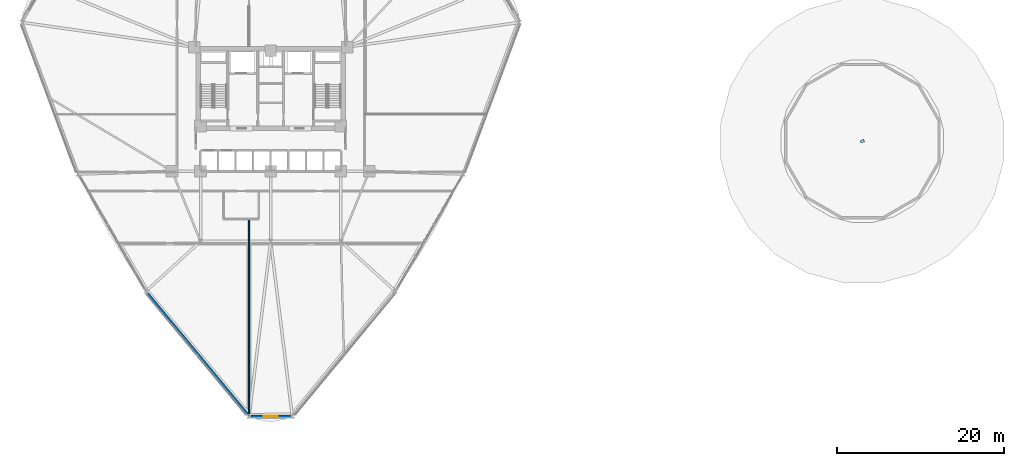
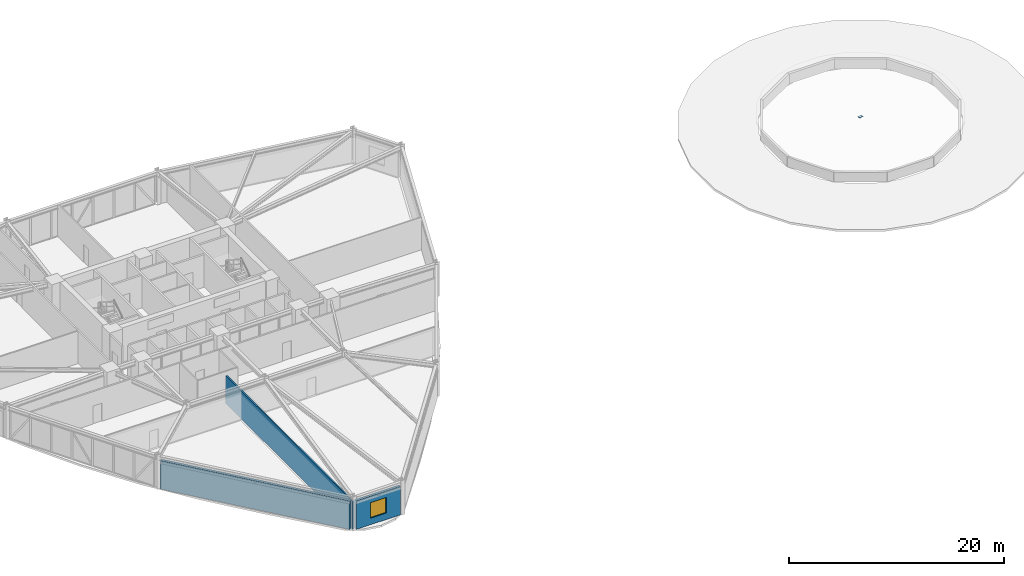
# One storey, part 15 of 23: 3 walls, 1 plate, 1 window, 1 opening.
"""IFC4 building model written with IfcOpenShell, lengths in metres."""

from ifc_helpers import new_model, si_unit, derived_unit, direction, frame, frame_2d, origin, origin_2d, place, context, subcontext, project, spatial, rectangle, extrude, source, transform, mapped, material, layer, layer_set, type_object, element, fill, save


model = new_model("IFC4")

# Units and contexts
model_context = context("Model", 3, precision=1e-05, world=origin(), true_north=direction((0.0, 1.0)))
body_context = subcontext(model_context, "Body", "Model", "MODEL_VIEW")
ifc_project = project(units=[si_unit("LENGTHUNIT", "METRE"), si_unit("AREAUNIT", "SQUARE_METRE"), si_unit("VOLUMEUNIT", "CUBIC_METRE"), si_unit("PLANEANGLEUNIT", "RADIAN"), si_unit("MASSUNIT", "GRAM", prefix="KILO"), derived_unit("THERMALTRANSMITTANCEUNIT", [(si_unit("POWERUNIT", "WATT"), 1), (si_unit("LENGTHUNIT", "METRE"), -2), (si_unit("THERMODYNAMICTEMPERATUREUNIT", "KELVIN"), -1)])], contexts=[model_context])

# Site, building, storey
site_placement = place(None, origin())
site = spatial("IfcSite", under=ifc_project, at=site_placement, CompositionType="ELEMENT")
building_placement = place(site_placement, origin())
building = spatial("IfcBuilding", under=site, at=building_placement, Name="Korsvarv Bourse and Concert Hall", CompositionType="ELEMENT")
storey_placement = place(building_placement, frame((0.0, 0.0, 24.0)))
storey = spatial("IfcBuildingStorey", under=building, at=storey_placement, Name="L05", CompositionType="ELEMENT", Elevation=24.0)

# Plate
ifc_material_1 = material(Name="Steel S355", Category="steel")
ifc_layer_1 = layer(ifc_material_1, 0.02197265625)
ifc_layer_set_1 = layer_set([ifc_layer_1], Name="Steel S355")
plate_type = type_object("IfcPlateType", Name="PLT-KN7", PredefinedType="SHEET", material=ifc_layer_set_1)
shared_shape = source(origin(), body_context, "Body", "SweptSolid", [
    extrude(rectangle(XDim=0.449951171875, YDim=0.300048828125, at=origin_2d()), origin(), (0.0, 0.0, 1.0), 0.02197265625),
])
plate_placement = place(storey_placement, frame((106.800048828125, 36.0, 1.14892578125), z_axis=(0.0, 0.0, 1.0), x_axis=(0.965925826289, 0.258819045103, 0.0)))
element("IfcPlate", 1, at=plate_placement, inside=storey, type_object=plate_type, Name="L04 node cap plate KN7", PredefinedType="SHEET", context=body_context, shape_type="MappedRepresentation", body=[
    mapped(shared_shape, transform((0.0, 0.0, 0.0), scale=1.0)),
])

# Wall, opening, window
ifc_material_2 = material(Name="Precast concrete C45/55 with terracotta rainscreen", Category="concrete")
ifc_layer_2 = layer(ifc_material_2, 0.300048828125)
ifc_layer_set_2 = layer_set([ifc_layer_2], Name="Precast concrete C45/55 with terracotta rainscreen")
wall_type_1 = type_object("IfcWallType", Name="WL-EXT-TC1", PredefinedType="SOLIDWALL", material=ifc_layer_set_2)
wall_1_placement = place(storey_placement, frame((33.635009765625, 3.09375, 0.0), z_axis=(0.0, 0.0, 1.0), x_axis=(1.0, 0.0, 0.0)))
wall_1 = element("IfcWall", 2, at=wall_1_placement, inside=storey, type_object=wall_type_1, Name="L05 terracotta exterior wall EW-L05-B09", PredefinedType="SOLIDWALL", context=body_context, shape_type="SweptSolid", body=[
    extrude(rectangle(XDim=4.72998046875, YDim=0.300048828125, at=frame_2d((2.364990234375, 0.0))), origin(), (0.0, 0.0, 1.0), 3.22998046875),
])
opening_placement = place(wall_1_placement, frame((1.514892578125, 0.0, 0.75)))
opening = element("IfcOpeningElement", 3, at=opening_placement, cuts=wall_1, Name="Opening W-01", PredefinedType="OPENING", context=body_context, shape_type="SweptSolid", body=[
    extrude(rectangle(XDim=1.699951171875, YDim=1.75, at=frame_2d((0.85009765625, 0.875))), frame((0.0, 0.16015625, 0.0), z_axis=(0.0, -1.0, 0.0), x_axis=(1.0, 0.0, 0.0)), (0.0, 0.0, 1.0), 0.320068359375),
])
ifc_material_3 = material(Name="Thermally broken aluminium frame with triple low-E glass", Category="glass")
window_type = type_object("IfcWindowType", Name="WIN-TW1", PartitioningType="SINGLE_PANEL", PredefinedType="WINDOW", material=ifc_material_3)
window_placement = place(opening_placement, origin())
window = element("IfcWindow", 4, at=window_placement, inside=storey, type_object=window_type, Name="L05 punched facade window W-01", OverallHeight=1.75, OverallWidth=1.699951171875, PartitioningType="SINGLE_PANEL", PredefinedType="WINDOW", context=body_context, shape_type="SweptSolid", body=[
    extrude(rectangle(XDim=1.699951171875, YDim=1.75, at=frame_2d((0.85009765625, 0.875))), frame((0.0, 0.030029296875, 0.0), z_axis=(0.0, -1.0, 0.0), x_axis=(1.0, 0.0, 0.0)), (0.0, 0.0, 1.0), 0.06005859375),
])
fill(opening, window)

# Walls
ifc_material_4 = material(Name="Precast concrete C45/55 with fluted terracotta pier", Category="concrete")
ifc_layer_3 = layer(ifc_material_4, 0.280029296875)
ifc_layer_set_3 = layer_set([ifc_layer_3], Name="Precast concrete C45/55 with fluted terracotta pier")
wall_type_2 = type_object("IfcWallType", Name="WL-EXT-TC2", PredefinedType="SOLIDWALL", material=ifc_layer_set_3)
wall_2_placement = place(storey_placement, frame((21.26806640625, 17.786865234375, 0.0), z_axis=(0.0, 0.0, 1.0), x_axis=(0.637262575447, -0.770646747826, 0.0)))
element("IfcWall", 5, at=wall_2_placement, inside=storey, type_object=wall_type_2, Name="L05 terracotta exterior wall EW-L05-B08", PredefinedType="SOLIDWALL", context=body_context, shape_type="SweptSolid", body=[
    extrude(rectangle(XDim=18.751953125, YDim=0.280029296875, at=frame_2d((9.3759765625, 0.0))), origin(), (0.0, 0.0, 1.0), 3.22998046875),
])
ifc_material_5 = material(Name="Insulated steel-stud office acoustic partition", Category="gypsum")
ifc_layer_4 = layer(ifc_material_5, 0.139892578125)
ifc_layer_set_4 = layer_set([ifc_layer_4], Name="Insulated steel-stud office acoustic partition")
wall_type_3 = type_object("IfcWallType", Name="WL-INT-P1", PredefinedType="PARTITIONING", material=ifc_layer_set_4)
wall_3_placement = place(storey_placement, frame((33.405029296875, 3.12939453125, 0.0), z_axis=(0.0, 0.0, 1.0), x_axis=(0.0, 1.0, 0.0)))
element("IfcWall", 6, at=wall_3_placement, inside=storey, type_object=wall_type_3, Name="L05 interior partition wall W-L05-TCOR-09", PredefinedType="PARTITIONING", context=body_context, shape_type="SweptSolid", body=[
    extrude(rectangle(XDim=23.560546875, YDim=0.139892578125, at=frame_2d((11.7802734375, 0.0))), origin(), (0.0, 0.0, 1.0), 3.179931640625),
])

save(model, "model.ifc")
